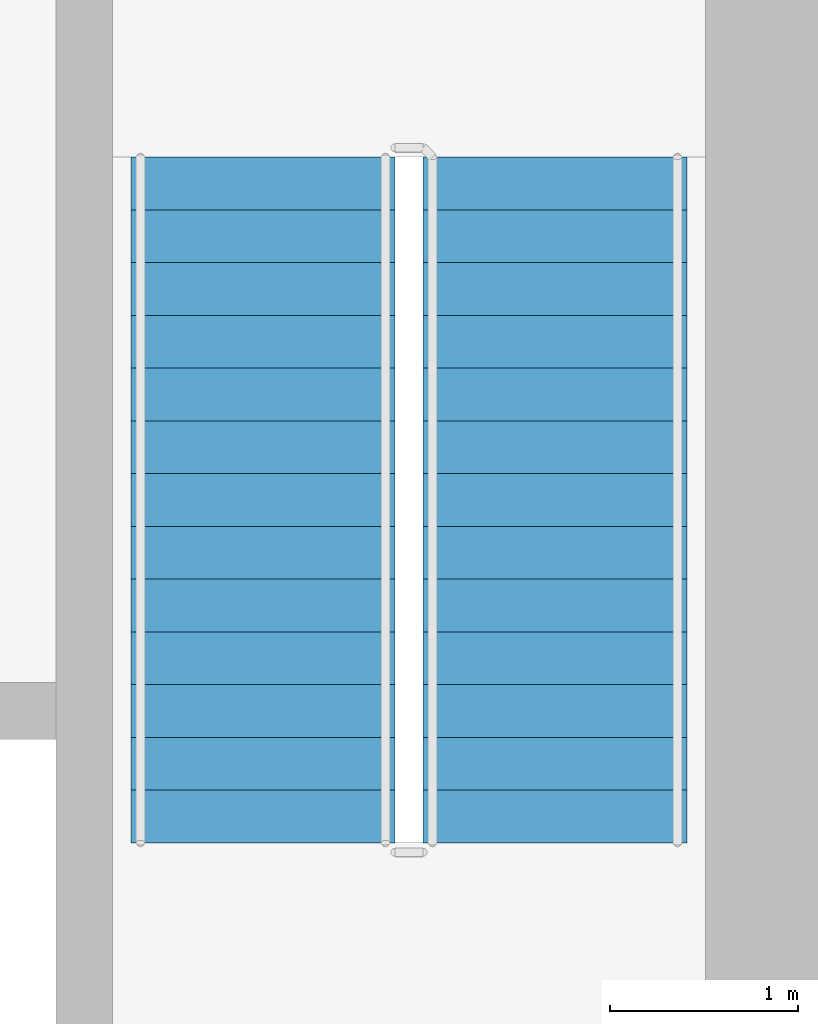
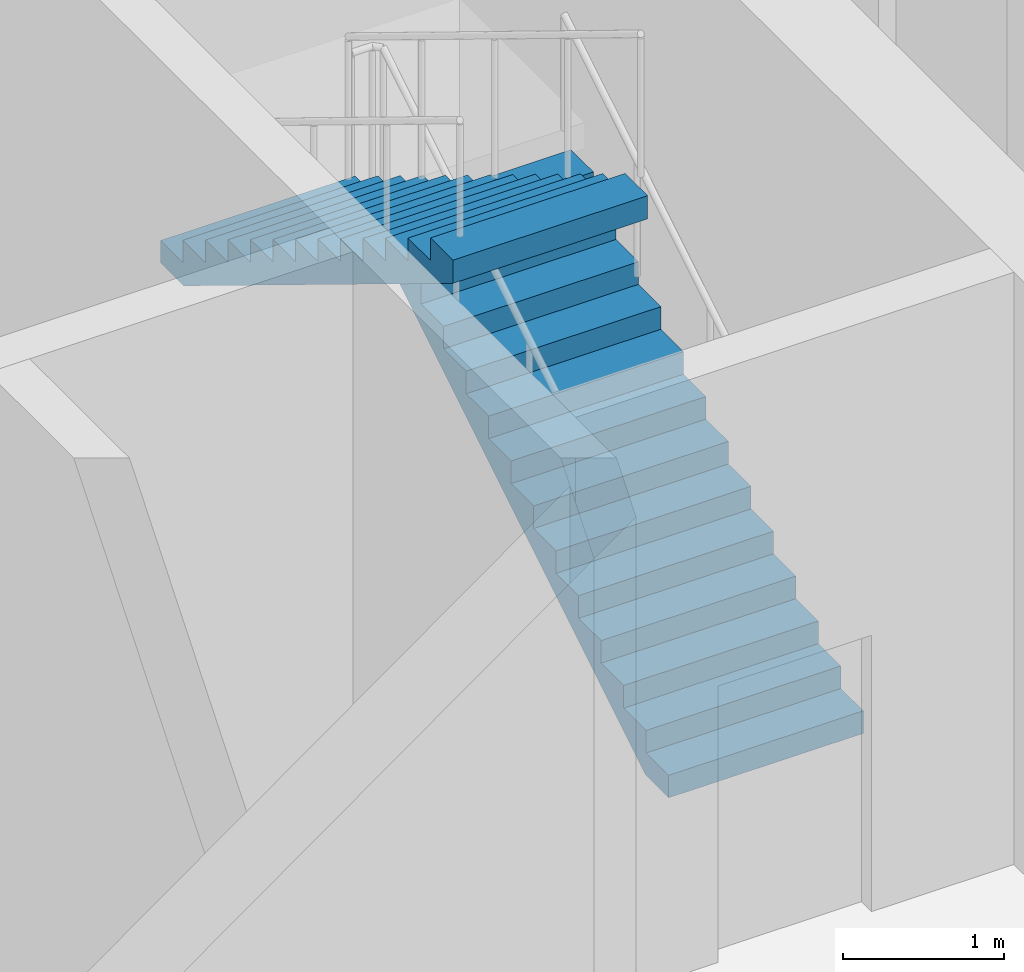
# One storey, part 11 of 14: 2 stair flights, 1 element without a shape of its own.
"""IFC4 building model written with IfcOpenShell, lengths in metres."""

import ifcopenshell
import ifcopenshell.guid

model = None  # the IFC model being written
_history = None  # IfcOwnerHistory: only IFC2X3 demands one
_inside = {}  # id of a spatial element -> (the spatial element, [elements in it])
_under = {}  # id of a project, library or spatial element -> (it, [spatial elements below it])
_declared = {}  # id of a project -> (the project, [libraries it declares])
_typed = {}  # id of a type object -> (the type object, [elements of that type])
_made_of = {}  # id of a material, layer set ... -> (it, [elements and type objects made of it])


def new_model(schema):
    """Start an empty IFC model of exactly this schema.

    Asked for "IFC4X3", IfcOpenShell would pick the latest addendum, in which some entities
    have other attributes; the version numbers below select the first issue.
    IFC2X3 requires an IfcOwnerHistory on every rooted entity: one is made here for all.
    """
    global model, _history
    if schema == "IFC4X3":
        model = ifcopenshell.file(schema_version=(4, 3, 0, 0))
    else:
        model = ifcopenshell.file(schema=schema)
    _inside.clear()
    _under.clear()
    _declared.clear()
    _typed.clear()
    _made_of.clear()
    _history = None
    if model.schema == "IFC2X3":
        org = make("IfcOrganization", Name="unknown")
        user = make(
            "IfcPersonAndOrganization",
            ThePerson=make("IfcPerson", FamilyName="unknown"),
            TheOrganization=org,
        )
        app = make(
            "IfcApplication",
            ApplicationDeveloper=org,
            Version="unknown",
            ApplicationFullName="unknown",
            ApplicationIdentifier="unknown",
        )
        _history = make(
            "IfcOwnerHistory",
            OwningUser=user,
            OwningApplication=app,
            ChangeAction="ADDED",
            CreationDate=0,
        )
    return model


def make(cls, **values):
    """One entity of the class cls with the attributes given. An attribute that is None is left unset."""
    return model.create_entity(
        cls, **{name: value for name, value in values.items() if value is not None}
    )


def rooted(cls, **values):
    """An entity with a GlobalId (a new one), such as an element, a storey or a relation."""
    return make(cls, GlobalId=ifcopenshell.guid.new(), OwnerHistory=_history, **values)


def si_unit(unit_type, name, prefix=None):
    """IfcSIUnit, for example si_unit("LENGTHUNIT", "METRE", prefix="MILLI")."""
    return make("IfcSIUnit", UnitType=unit_type, Prefix=prefix, Name=name)


def assignment(units):
    """IfcUnitAssignment: the units of a project."""
    return None if units is None else make("IfcUnitAssignment", Units=units)


def point(xyz):
    """IfcCartesianPoint."""
    return None if xyz is None else make("IfcCartesianPoint", Coordinates=xyz)


def direction(xyz):
    """IfcDirection."""
    return None if xyz is None else make("IfcDirection", DirectionRatios=xyz)


def frame(location, z_axis=None, x_axis=None):
    """IfcAxis2Placement3D, a coordinate frame: its origin and axes. An axis left out is left unset."""
    return make(
        "IfcAxis2Placement3D",
        Location=point(location),
        Axis=direction(z_axis),
        RefDirection=direction(x_axis),
    )


def origin():
    """The frame at (0, 0, 0) with its axes left unset."""
    return frame((0.0, 0.0, 0.0))


def place(relative_to, where):
    """IfcLocalPlacement: puts the frame where relative to a parent placement (None: the world)."""
    return make(
        "IfcLocalPlacement", PlacementRelTo=relative_to, RelativePlacement=where
    )


def context(
    kind, dimensions, precision=None, world=None, true_north=None, identifier=None
):
    """IfcGeometricRepresentationContext, for example the 3D "Model" context."""
    return make(
        "IfcGeometricRepresentationContext",
        ContextIdentifier=identifier,
        ContextType=kind,
        CoordinateSpaceDimension=dimensions,
        Precision=precision,
        WorldCoordinateSystem=world,
        TrueNorth=true_north,
    )


def subcontext(parent, identifier, kind, view, scale=None):
    """IfcGeometricRepresentationSubContext, for example "Body" below "Model"."""
    return make(
        "IfcGeometricRepresentationSubContext",
        ContextIdentifier=identifier,
        ContextType=kind,
        ParentContext=parent,
        TargetScale=scale,
        TargetView=view,
    )


def project(units=None, contexts=None):
    """IfcProject with its units and contexts."""
    return rooted(
        "IfcProject",
        Name="project",
        RepresentationContexts=contexts,
        UnitsInContext=assignment(units),
    )


def spatial(cls, under=None, at=None, **own):
    """A site, building, storey or space (cls), placed at a placement, below another one or the project."""
    s = rooted(cls, ObjectPlacement=at, **own)
    if under is not None:
        _under.setdefault(under.id(), (under, []))[1].append(s)
    return s


def polyline(points):
    """IfcPolyline through the points."""
    return make("IfcPolyline", Points=[point(p) for p in points])


def outline(outer, holes=None, kind="AREA"):
    """IfcArbitraryClosedProfileDef: a profile drawn as a closed curve; with holes, ...WithVoids."""
    if holes is None:
        return make("IfcArbitraryClosedProfileDef", ProfileType=kind, OuterCurve=outer)
    return make(
        "IfcArbitraryProfileDefWithVoids",
        ProfileType=kind,
        OuterCurve=outer,
        InnerCurves=holes,
    )


def extrude(swept, where, along, depth):
    """IfcExtrudedAreaSolid: the profile swept, set in the frame where, extruded along a direction by depth."""
    return make(
        "IfcExtrudedAreaSolid",
        SweptArea=swept,
        Position=where,
        ExtrudedDirection=direction(along),
        Depth=depth,
    )


def shape(context_of_items, identifier, shape_type, items):
    """IfcShapeRepresentation: the items that make up one representation, for example the "Body"."""
    return make(
        "IfcShapeRepresentation",
        ContextOfItems=context_of_items,
        RepresentationIdentifier=identifier,
        RepresentationType=shape_type,
        Items=items,
    )


def material(Name=None, Category=None):
    """IfcMaterial."""
    return make("IfcMaterial", Name=Name, Category=Category)


def made_of(thing, what):
    """Note that an element or type object is made of a material, layer set ...; save() writes the relation."""
    if what is not None:
        _made_of.setdefault(what.id(), (what, []))[1].append(thing)
    return thing


def type_object(cls, material=None, **own):
    """A type object (cls), such as IfcWallType, which elements share."""
    return made_of(rooted(cls, **own), material)


def element(
    cls,
    number,
    at=None,
    inside=None,
    cuts=None,
    type_object=None,
    material=None,
    context=None,
    identifier="Body",
    shape_type=None,
    held_by="IfcProductDefinitionShape",
    body=None,
    shapes=None,
    **own,
):
    """One element of the class cls, such as IfcWall. Its Tag is "e" and its number.

    at: its placement. inside: the storey or other place that contains it. cuts: it is an
    opening in that element (IfcRelVoidsElement). A single representation is given by context,
    identifier, shape_type and body (its items); several are given by shapes. held_by: the class
    of the entity that holds the representations. save() writes the other relations.
    """
    e = rooted(cls, Tag="e%d" % number, ObjectPlacement=at, **own)
    if body is not None:
        shapes = [shape(context, identifier, shape_type, body)]
    if shapes is not None:
        e.Representation = make(held_by, Representations=shapes)
    if inside is not None:
        _inside.setdefault(inside.id(), (inside, []))[1].append(e)
    if cuts is not None:
        rooted(
            "IfcRelVoidsElement", RelatingBuildingElement=cuts, RelatedOpeningElement=e
        )
    if type_object is not None:
        _typed.setdefault(type_object.id(), (type_object, []))[1].append(e)
    return made_of(e, material)


def aggregate(whole, parts):
    """IfcRelAggregates: a whole, such as a stair, and the parts it consists of."""
    return rooted("IfcRelAggregates", RelatingObject=whole, RelatedObjects=parts)


def save(model, path):
    """Write the relations noted so far, then the file.

    IfcRelAggregates (storeys below a building ...), IfcRelContainedInSpatialStructure (elements
    in a storey), IfcRelDefinesByType, IfcRelAssociatesMaterial and IfcRelDeclares: one each for
    every whole, place, type object, material and project.
    """
    for whole, parts in _under.values():
        aggregate(whole, parts)
    for where, things in _inside.values():
        rooted(
            "IfcRelContainedInSpatialStructure",
            RelatedElements=things,
            RelatingStructure=where,
        )
    for kind, things in _typed.values():
        rooted("IfcRelDefinesByType", RelatedObjects=things, RelatingType=kind)
    for what, things in _made_of.values():
        rooted("IfcRelAssociatesMaterial", RelatedObjects=things, RelatingMaterial=what)
    for by, libraries in _declared.values():
        rooted("IfcRelDeclares", RelatingContext=by, RelatedDefinitions=libraries)
    model.write(path)


model = new_model("IFC4")

# Units and contexts
model_context = context("Model", 3, precision=1e-05, world=origin(), true_north=direction((0.0, 1.0)))
body_context = subcontext(model_context, "Body", "Model", "MODEL_VIEW")
ifc_project = project(units=[si_unit("LENGTHUNIT", "METRE"), si_unit("AREAUNIT", "SQUARE_METRE"), si_unit("VOLUMEUNIT", "CUBIC_METRE"), si_unit("PLANEANGLEUNIT", "RADIAN"), si_unit("MASSUNIT", "GRAM", prefix="KILO")], contexts=[model_context])

# Site, building, storey
site_placement = place(None, origin())
site = spatial("IfcSite", under=ifc_project, at=site_placement, CompositionType="ELEMENT")
building_placement = place(site_placement, origin())
building = spatial("IfcBuilding", under=site, at=building_placement, Name="Mopane Tessera Tower", CompositionType="ELEMENT")
storey_placement = place(building_placement, frame((0.0, 0.0, 40.60009765625)))
storey = spatial("IfcBuildingStorey", under=building, at=storey_placement, Name="L07", CompositionType="ELEMENT", Elevation=40.60009765625)

# Stair, stair flights
ifc_material_1 = material(Name="Concrete C50/60", Category="concrete")
stair_type = type_object("IfcStairType", Name="Escape stair 1400 mm, riser 171 mm", PredefinedType="HALF_TURN_STAIR", material=ifc_material_1)
stair_placement = place(storey_placement, origin())
stair = element("IfcStair", 1, at=stair_placement, inside=storey, type_object=stair_type, Name="L07 Escape stair north-east", PredefinedType="HALF_TURN_STAIR")
ifc_material_2 = material(Name="Concrete C50/60", Category="concrete")
stair_flight_type = type_object("IfcStairFlightType", Name="Escape stair flight 1400 mm", PredefinedType="STRAIGHT", material=ifc_material_2)
stair_flight_1_placement = place(storey_placement, frame((13.0, 7.699951171875, 0.0), z_axis=(0.0, 0.0, 1.0), x_axis=(0.0, 1.0, 0.0)))
stair_flight_1 = element("IfcStairFlight", 2, at=stair_flight_1_placement, type_object=stair_flight_type, Name="ST4 flight 1", NumberOfRisers=14, NumberOfTreads=13, PredefinedType="STRAIGHT", RiserHeight=0.171428571, TreadLength=0.28, context=body_context, shape_type="SweptSolid", body=[
    extrude(outline(polyline([(0.0, 0.0), (0.0, 0.17138671875), (0.280029296875, 0.17138671875), (0.280029296875, 0.3427734375), (0.56005859375, 0.3427734375), (0.56005859375, 0.514404296875), (0.840087890625, 0.514404296875), (0.840087890625, 0.685791015625), (1.1201171875, 0.685791015625), (1.1201171875, 0.857177734375), (1.39990234375, 0.857177734375), (1.39990234375, 1.028564453125), (1.679931640625, 1.028564453125), (1.679931640625, 1.199951171875), (1.9599609375, 1.199951171875), (1.9599609375, 1.371337890625), (2.239990234375, 1.371337890625), (2.239990234375, 1.54296875), (2.52001953125, 1.54296875), (2.52001953125, 1.71435546875), (2.800048828125, 1.71435546875), (2.800048828125, 1.8857421875), (3.080078125, 1.8857421875), (3.080078125, 2.05712890625), (3.360107421875, 2.05712890625), (3.360107421875, 2.228515625), (3.639892578125, 2.228515625), (3.639892578125, 2.39990234375), (3.639892578125, 2.052734375), (0.287109375, 0.0), (0.0, 0.0)])), frame((0.0, 0.699951171875, 0.0), z_axis=(0.0, -1.0, 0.0), x_axis=(1.0, 0.0, 0.0)), (0.0, 0.0, 1.0), 1.39990234375),
])
stair_flight_2_placement = place(storey_placement, frame((11.449951171875, 11.340087890625, 2.39990234375), z_axis=(0.0, 0.0, 1.0), x_axis=(0.0, -1.0, 0.0)))
stair_flight_2 = element("IfcStairFlight", 3, at=stair_flight_2_placement, type_object=stair_flight_type, Name="ST4 flight 2", NumberOfRisers=14, NumberOfTreads=13, PredefinedType="STRAIGHT", RiserHeight=0.171428571, TreadLength=0.28, context=body_context, shape_type="SweptSolid", body=[
    extrude(outline(polyline([(0.0, 0.0), (0.0, 0.17138671875), (0.280029296875, 0.17138671875), (0.280029296875, 0.3427734375), (0.56005859375, 0.3427734375), (0.56005859375, 0.514404296875), (0.840087890625, 0.514404296875), (0.840087890625, 0.685791015625), (1.1201171875, 0.685791015625), (1.1201171875, 0.857177734375), (1.39990234375, 0.857177734375), (1.39990234375, 1.028564453125), (1.679931640625, 1.028564453125), (1.679931640625, 1.199951171875), (1.9599609375, 1.199951171875), (1.9599609375, 1.371337890625), (2.239990234375, 1.371337890625), (2.239990234375, 1.54296875), (2.52001953125, 1.54296875), (2.52001953125, 1.71435546875), (2.800048828125, 1.71435546875), (2.800048828125, 1.8857421875), (3.080078125, 1.8857421875), (3.080078125, 2.05712890625), (3.360107421875, 2.05712890625), (3.360107421875, 2.228515625), (3.639892578125, 2.228515625), (3.639892578125, 2.39990234375), (3.639892578125, 2.052734375), (0.287109375, 0.0), (0.0, 0.0)])), frame((0.0, 0.699951171875, 0.0), z_axis=(0.0, -1.0, 0.0), x_axis=(1.0, 0.0, 0.0)), (0.0, 0.0, 1.0), 1.39990234375),
])
aggregate(stair, [stair_flight_1, stair_flight_2])

save(model, "model.ifc")
